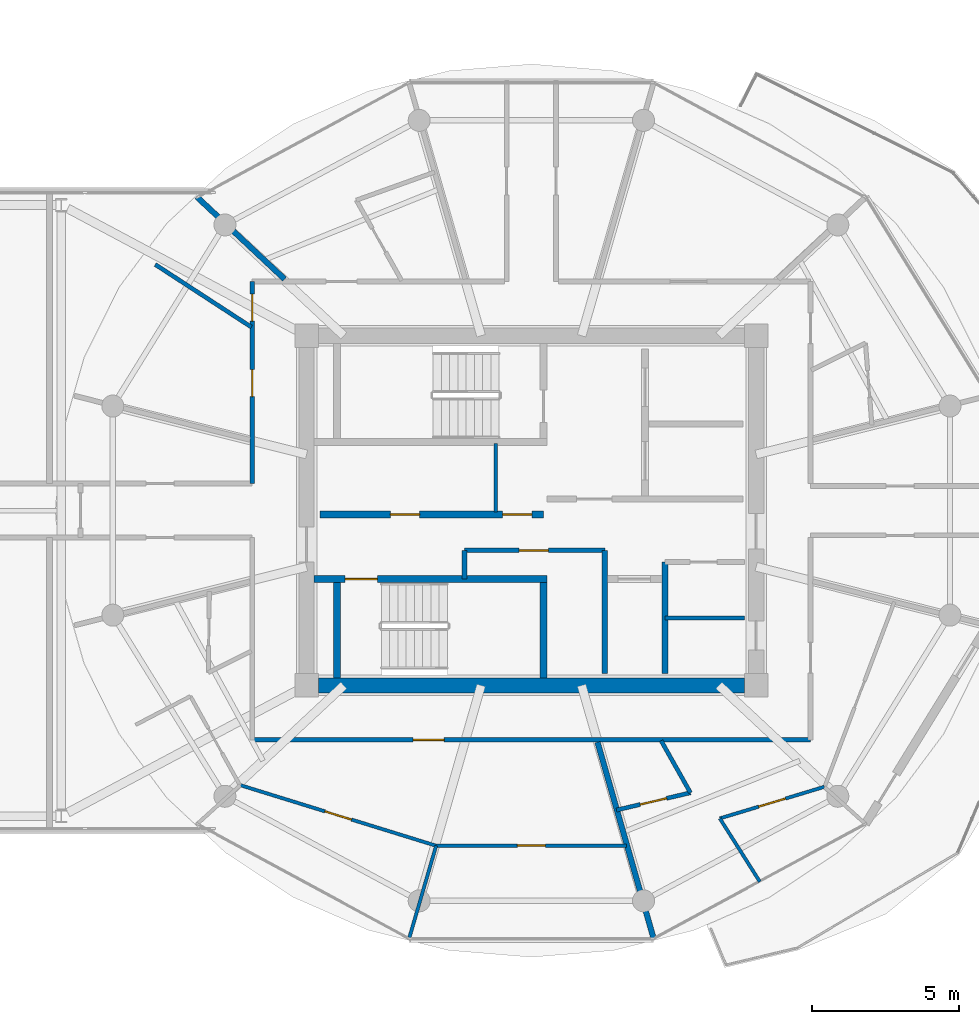
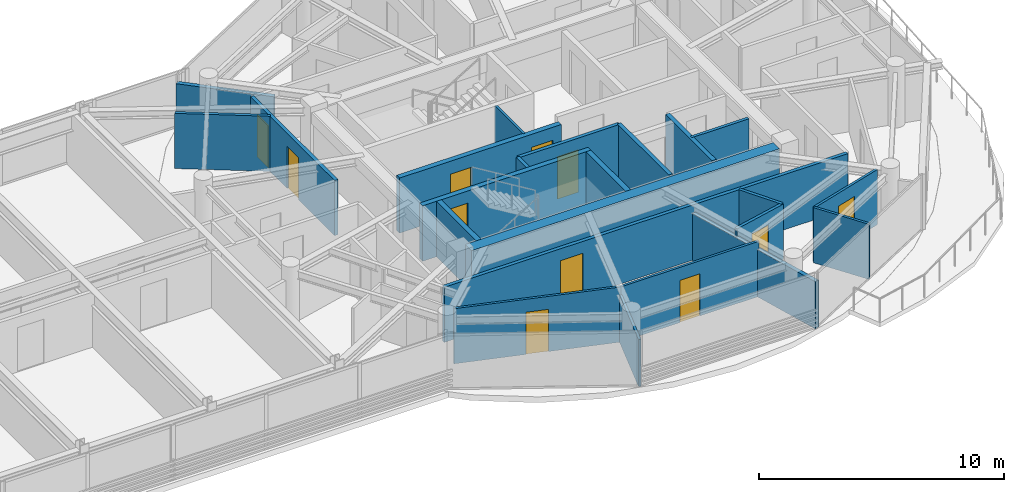
# One storey, part 18 of 23: 23 walls, 11 doors, 11 openings.
"""IFC4 building model written with IfcOpenShell, lengths in metres."""

from ifc_helpers import new_model, si_unit, direction, frame, frame_2d, origin, place, context, subcontext, project, spatial, rectangle, extrude, source, transform, mapped, material, layer, layer_set, type_object, type_shapes, element, fill, save


model = new_model("IFC4")

# Units and contexts
model_context = context("Model", 3, precision=1e-05, world=origin(), true_north=direction((0.0, 1.0)))
body_context = subcontext(model_context, "Body", "Model", "MODEL_VIEW")
ifc_project = project(units=[si_unit("LENGTHUNIT", "METRE"), si_unit("AREAUNIT", "SQUARE_METRE"), si_unit("VOLUMEUNIT", "CUBIC_METRE"), si_unit("PLANEANGLEUNIT", "RADIAN"), si_unit("MASSUNIT", "GRAM", prefix="KILO")], contexts=[model_context])

# Site, building, storey
site_placement = place(None, origin())
site = spatial("IfcSite", under=ifc_project, at=site_placement, CompositionType="ELEMENT")
building_placement = place(site_placement, origin())
building = spatial("IfcBuilding", under=site, at=building_placement, Name="Norrkilde Senior Care Towers", CompositionType="ELEMENT")
storey_placement = place(building_placement, frame((0.0, 0.0, 207.800048828125)))
storey = spatial("IfcBuildingStorey", under=building, at=storey_placement, Name="L64", CompositionType="ELEMENT", Elevation=207.800048828125)

# Wall
ifc_material_1 = material(Name="Concrete C50/60", Category="concrete")
ifc_layer_1 = layer(ifc_material_1, 0.52001953125)
ifc_layer_set_1 = layer_set([ifc_layer_1], Name="Concrete C50/60")
wall_type_1 = type_object("IfcWallType", Name="Core Shear Wall Z4 520", PredefinedType="SHEAR", material=ifc_layer_set_1)
shared_shape_1 = source(origin(), body_context, "Body", "SweptSolid", [
    extrude(rectangle(XDim=14.5, YDim=0.52001953125, at=frame_2d((7.25, 0.0))), origin(), (0.0, 0.0, 1.0), 2.760009765625),
])
type_shapes(wall_type_1, [shared_shape_1])
wall_1_placement = place(storey_placement, frame((35.25, -5.949951171875, 0.0), z_axis=(0.0, 0.0, 1.0), x_axis=(-1.0, 0.0, 0.0)))
element("IfcWall", 1, at=wall_1_placement, inside=storey, type_object=wall_type_1, Name="L64 Core E South Shear Wall", PredefinedType="SHEAR", context=body_context, shape_type="MappedRepresentation", body=[
    mapped(shared_shape_1, transform((0.0, 0.0, 0.0), x_axis=(1.0, 0.0, 0.0), y_axis=(0.0, 1.0, 0.0), z_axis=(0.0, 0.0, 1.0), scale=1.0)),
])

# Wall, opening, door
ifc_material_2 = material(Name="Concrete C45/55", Category="concrete")
ifc_layer_2 = layer(ifc_material_2, 0.239990234375)
ifc_layer_set_2 = layer_set([ifc_layer_2], Name="Concrete C45/55")
wall_type_2 = type_object("IfcWallType", Name="Shaft and Stair Enclosure Wall 240", PredefinedType="PARTITIONING", material=ifc_layer_set_2)
shared_shape_2 = source(origin(), body_context, "Body", "SweptSolid", [
    extrude(rectangle(XDim=7.929931640625, YDim=0.239990234375, at=frame_2d((3.96484375, 0.0))), origin(), (0.0, 0.0, 1.0), 2.760009765625),
])
wall_2_placement = place(storey_placement, frame((20.610107421875, -2.330078125, 0.0), z_axis=(0.0, 0.0, 1.0), x_axis=(1.0, 0.0, 0.0)))
wall_2 = element("IfcWall", 2, at=wall_2_placement, inside=storey, type_object=wall_type_2, Name="WL-INT-L64-E-ST2N", PredefinedType="PARTITIONING", context=body_context, shape_type="MappedRepresentation", body=[
    mapped(shared_shape_2, transform((0.0, 0.0, 0.0), x_axis=(1.0, 0.0, 0.0), y_axis=(0.0, 1.0, 0.0), z_axis=(0.0, 0.0, 1.0), scale=1.0)),
])
opening_1_placement = place(wall_2_placement, frame((1.050048828125, 0.0, 0.0)))
opening_1 = element("IfcOpeningElement", 3, at=opening_1_placement, cuts=wall_2, Name="Opening D-03", PredefinedType="OPENING", context=body_context, shape_type="SweptSolid", body=[
    extrude(rectangle(XDim=1.10009765625, YDim=2.14990234375, at=frame_2d((0.550048828125, 1.074951171875))), frame((0.0, 0.1298828125, 0.0), z_axis=(0.0, -1.0, 0.0), x_axis=(1.0, 0.0, 0.0)), (0.0, 0.0, 1.0), 0.260009765625),
])
ifc_material_3 = material(Name="Galvanised Painted Steel", Category="steel")
door_type_1 = type_object("IfcDoorType", Name="Stairwell Protected Fire Door 1100x2150", OperationType="NOTDEFINED", PredefinedType="DOOR", material=ifc_material_3)
shared_shape_3 = source(origin(), body_context, "Body", "SweptSolid", [
    extrude(rectangle(XDim=1.10009765625, YDim=2.14990234375, at=frame_2d((0.550048828125, 1.074951171875))), frame((0.0, 0.02490234375, 0.0), z_axis=(0.0, -1.0, 0.0), x_axis=(1.0, 0.0, 0.0)), (0.0, 0.0, 1.0), 0.050048828125),
])
type_shapes(door_type_1, [shared_shape_3])
door_1_placement = place(opening_1_placement, frame((1.10009765625, 0.0, 0.0), z_axis=(0.0, 0.0, 1.0), x_axis=(-1.0, 0.0, 0.0)))
door_1 = element("IfcDoor", 4, at=door_1_placement, inside=storey, type_object=door_type_1, Name="L64 Stair E2 Fire Door", OperationType="SINGLE_SWING_RIGHT", OverallHeight=2.14990234375, OverallWidth=1.10009765625, PredefinedType="DOOR", context=body_context, shape_type="MappedRepresentation", body=[
    mapped(shared_shape_3, transform((0.0, 0.0, 0.0), x_axis=(1.0, 0.0, 0.0), y_axis=(0.0, 1.0, 0.0), z_axis=(0.0, 0.0, 1.0), scale=1.0)),
])
fill(opening_1, door_1)

# Walls
shared_shape_4 = source(origin(), body_context, "Body", "SweptSolid", [
    extrude(rectangle(XDim=3.239990234375, YDim=0.239990234375, at=frame_2d((1.6201171875, 0.0))), origin(), (0.0, 0.0, 1.0), 2.760009765625),
])
type_shapes(wall_type_2, [shared_shape_2, shared_shape_4])
for number, where, z_axis, x_axis, name in (
    (5, (21.3798828125, -5.68994140625, 0.0), (0.0, 0.0, 1.0), (0.0, 1.0, 0.0), "WL-INT-L64-E-ST2W"),
    (6, (28.419921875, -5.68994140625, 0.0), (0.0, 0.0, 1.0), (0.0, 1.0, 0.0), "WL-INT-L64-E-ST2E"),
):
    element("IfcWall", number, at=place(storey_placement, frame(where, z_axis=z_axis, x_axis=x_axis)), inside=storey, type_object=wall_type_2, Name=name, PredefinedType="PARTITIONING", context=body_context, shape_type="MappedRepresentation", body=[
        mapped(shared_shape_4, transform((0.0, 0.0, 0.0), x_axis=(1.0, 0.0, 0.0), y_axis=(0.0, 1.0, 0.0), z_axis=(0.0, 0.0, 1.0), scale=1.0)),
    ])
ifc_material_4 = material(Name="Gypsum Acoustic Board")
ifc_layer_3 = layer(ifc_material_4, 0.18994140625)
ifc_layer_set_3 = layer_set([ifc_layer_3], Name="Gypsum Acoustic Board")
wall_type_3 = type_object("IfcWallType", Name="Unit Demising Acoustic Wall 190", PredefinedType="PARTITIONING", material=ifc_layer_set_3)
shared_shape_5 = source(origin(), body_context, "Body", "SweptSolid", [
    extrude(rectangle(XDim=4.089111328125, YDim=0.18994140625, at=frame_2d((2.04443359375, 0.0))), origin(), (0.0, 0.0, 1.0), 2.344970703125),
])
wall_3_placement = place(storey_placement, frame((19.59814453125, 7.8798828125, 0.0), z_axis=(0.0, 0.0, 1.0), x_axis=(-0.729401273609, 0.684086092577, 0.0)))
element("IfcWall", 7, at=wall_3_placement, inside=storey, type_object=wall_type_3, Name="WL-INT-L64-E-DEM-04-0", PredefinedType="PARTITIONING", context=body_context, shape_type="MappedRepresentation", body=[
    mapped(shared_shape_5, transform((0.0, 0.0, 0.0), x_axis=(1.0, 0.0, 0.0), y_axis=(0.0, 1.0, 0.0), z_axis=(0.0, 0.0, 1.0), scale=1.0)),
])
shared_shape_6 = source(origin(), body_context, "Body", "SweptSolid", [
    extrude(rectangle(XDim=6.973876953125, YDim=0.18994140625, at=frame_2d((3.48681640625, 0.0))), origin(), (0.0, 0.0, 1.0), 2.344970703125),
])
type_shapes(wall_type_3, [shared_shape_5, shared_shape_6])
wall_4_placement = place(storey_placement, frame((30.251220703125, -7.8798828125, 0.0), z_axis=(0.0, 0.0, 1.0), x_axis=(0.274707256801, -0.961527910703, 0.0)))
element("IfcWall", 8, at=wall_4_placement, inside=storey, type_object=wall_type_3, Name="WL-INT-L64-E-DEM-09-0", PredefinedType="PARTITIONING", context=body_context, shape_type="MappedRepresentation", body=[
    mapped(shared_shape_6, transform((0.0, 0.0, 0.0), x_axis=(1.0, 0.0, 0.0), y_axis=(0.0, 1.0, 0.0), z_axis=(0.0, 0.0, 1.0), scale=1.0)),
])

# Wall, openings, doors
ifc_layer_4 = layer(ifc_material_2, 0.239990234375)
ifc_layer_set_4 = layer_set([ifc_layer_4], Name="Concrete C45/55")
wall_type_4 = type_object("IfcWallType", Name="Lift and Plant Rated Enclosure Partition 240", PredefinedType="PARTITIONING", material=ifc_layer_set_4)
shared_shape_7 = source(origin(), body_context, "Body", "SweptSolid", [
    extrude(rectangle(XDim=7.619873046875, YDim=0.239990234375, at=frame_2d((3.81005859375, 0.0))), origin(), (0.0, 0.0, 1.0), 2.744873046875),
])
type_shapes(wall_type_4, [shared_shape_7])
wall_5_placement = place(storey_placement, frame((20.800048828125, -0.1298828125, 0.0), z_axis=(0.0, 0.0, 1.0), x_axis=(1.0, 0.0, 0.0)))
wall_5 = element("IfcWall", 9, at=wall_5_placement, inside=storey, type_object=wall_type_4, Name="WL-INT-L64-E-PKAS", PredefinedType="PARTITIONING", context=body_context, shape_type="MappedRepresentation", body=[
    mapped(shared_shape_7, transform((0.0, 0.0, 0.0), x_axis=(1.0, 0.0, 0.0), y_axis=(0.0, 1.0, 0.0), z_axis=(0.0, 0.0, 1.0), scale=1.0)),
])
opening_2_placement = place(wall_5_placement, frame((6.219970703125, 0.0, 0.0)))
opening_2 = element("IfcOpeningElement", 10, at=opening_2_placement, cuts=wall_5, Name="Opening D-10", PredefinedType="OPENING", context=body_context, shape_type="SweptSolid", body=[
    extrude(rectangle(XDim=1.0, YDim=2.10009765625, at=frame_2d((0.5, 1.050048828125))), frame((0.0, 0.1298828125, 0.0), z_axis=(0.0, -1.0, 0.0), x_axis=(1.0, 0.0, 0.0)), (0.0, 0.0, 1.0), 0.260009765625),
])
opening_3_placement = place(wall_5_placement, frame((2.39990234375, 0.0, 0.0)))
opening_3 = element("IfcOpeningElement", 11, at=opening_3_placement, cuts=wall_5, Name="Opening D-10", PredefinedType="OPENING", context=body_context, shape_type="SweptSolid", body=[
    extrude(rectangle(XDim=1.0, YDim=2.10009765625, at=frame_2d((0.5, 1.050048828125))), frame((0.0, 0.1298828125, 0.0), z_axis=(0.0, -1.0, 0.0), x_axis=(1.0, 0.0, 0.0)), (0.0, 0.0, 1.0), 0.260009765625),
])
door_type_2 = type_object("IfcDoorType", Name="Plant and Riser Rated Door 1000x2100", OperationType="NOTDEFINED", PredefinedType="DOOR", material=ifc_material_3)
shared_shape_8 = source(origin(), body_context, "Body", "SweptSolid", [
    extrude(rectangle(XDim=1.0, YDim=2.10009765625, at=frame_2d((0.5, 1.050048828125))), frame((0.0, 0.02490234375, 0.0), z_axis=(0.0, -1.0, 0.0), x_axis=(1.0, 0.0, 0.0)), (0.0, 0.0, 1.0), 0.050048828125),
])
type_shapes(door_type_2, [shared_shape_8])
door_2_placement = place(opening_2_placement, frame((1.0, 0.0, 0.0), z_axis=(0.0, 0.0, 1.0), x_axis=(-1.0, 0.0, 0.0)))
door_2 = element("IfcDoor", 12, at=door_2_placement, inside=storey, type_object=door_type_2, Name="L64 Electrical Riser E Door", OperationType="SINGLE_SWING_LEFT", OverallHeight=2.10009765625, OverallWidth=1.0, PredefinedType="DOOR", context=body_context, shape_type="MappedRepresentation", body=[
    mapped(shared_shape_8, transform((0.0, 0.0, 0.0), x_axis=(1.0, 0.0, 0.0), y_axis=(0.0, 1.0, 0.0), z_axis=(0.0, 0.0, 1.0), scale=1.0)),
])
fill(opening_2, door_2)
door_3_placement = place(opening_3_placement, frame((1.0, 0.0, 0.0), z_axis=(0.0, 0.0, 1.0), x_axis=(-1.0, 0.0, 0.0)))
door_3 = element("IfcDoor", 13, at=door_3_placement, inside=storey, type_object=door_type_2, Name="L64 Clean Supply Store E Door", OperationType="SINGLE_SWING_LEFT", OverallHeight=2.10009765625, OverallWidth=1.0, PredefinedType="DOOR", context=body_context, shape_type="MappedRepresentation", body=[
    mapped(shared_shape_8, transform((0.0, 0.0, 0.0), x_axis=(1.0, 0.0, 0.0), y_axis=(0.0, 1.0, 0.0), z_axis=(0.0, 0.0, 1.0), scale=1.0)),
])
fill(opening_3, door_3)

# Walls
ifc_layer_5 = layer(ifc_material_4, 0.114990234375)
ifc_layer_set_5 = layer_set([ifc_layer_5], Name="Gypsum Acoustic Board")
wall_type_5 = type_object("IfcWallType", Name="Internal Room Partition 115", PredefinedType="PARTITIONING", material=ifc_layer_set_5)
shared_shape_9 = source(origin(), body_context, "Body", "SweptSolid", [
    extrude(rectangle(XDim=2.330078125, YDim=0.114990234375, at=frame_2d((1.1650390625, 0.0))), origin(), (0.0, 0.0, 1.0), 2.744873046875),
])
wall_6_placement = place(storey_placement, frame((26.7900390625, -0.050048828125, 0.0), z_axis=(0.0, 0.0, 1.0), x_axis=(0.0, 1.0, 0.0)))
element("IfcWall", 14, at=wall_6_placement, inside=storey, type_object=wall_type_5, Name="WL-INT-L64-E-RISW", PredefinedType="PARTITIONING", context=body_context, shape_type="MappedRepresentation", body=[
    mapped(shared_shape_9, transform((0.0, 0.0, 0.0), x_axis=(1.0, 0.0, 0.0), y_axis=(0.0, 1.0, 0.0), z_axis=(0.0, 0.0, 1.0), scale=1.0)),
])
ifc_layer_6 = layer(ifc_material_2, 0.199951171875)
ifc_layer_set_6 = layer_set([ifc_layer_6], Name="Concrete C45/55")
wall_type_6 = type_object("IfcWallType", Name="Shaft Division and Plant Partition 200", PredefinedType="PARTITIONING", material=ifc_layer_set_6)
shared_shape_10 = source(origin(), body_context, "Body", "SweptSolid", [
    extrude(rectangle(XDim=3.800048828125, YDim=0.199951171875, at=frame_2d((1.89990234375, 0.0))), origin(), (0.0, 0.0, 1.0), 2.744873046875),
])
type_shapes(wall_type_6, [shared_shape_10])
wall_7_placement = place(storey_placement, frame((32.550048828125, -5.550048828125, 0.0), z_axis=(0.0, 0.0, 1.0), x_axis=(0.0, 1.0, 0.0)))
element("IfcWall", 15, at=wall_7_placement, inside=storey, type_object=wall_type_6, Name="WL-INT-L64-E-PKBE", PredefinedType="PARTITIONING", context=body_context, shape_type="MappedRepresentation", body=[
    mapped(shared_shape_10, transform((0.0, 0.0, 0.0), x_axis=(1.0, 0.0, 0.0), y_axis=(0.0, 1.0, 0.0), z_axis=(0.0, 0.0, 1.0), scale=1.0)),
])
ifc_layer_7 = layer(ifc_material_2, 0.179931640625)
ifc_layer_set_7 = layer_set([ifc_layer_7], Name="Concrete C45/55")
wall_type_7 = type_object("IfcWallType", Name="Hoistway Division Rated Partition 180", PredefinedType="PARTITIONING", material=ifc_layer_set_7)
shared_shape_11 = source(origin(), body_context, "Body", "SweptSolid", [
    extrude(rectangle(XDim=4.199951171875, YDim=0.179931640625, at=frame_2d((2.10009765625, 0.0))), origin(), (0.0, 0.0, 1.0), 2.744873046875),
])
type_shapes(wall_type_7, [shared_shape_11])
wall_8_placement = place(storey_placement, frame((30.5, -5.550048828125, 0.0), z_axis=(0.0, 0.0, 1.0), x_axis=(0.0, 1.0, 0.0)))
element("IfcWall", 16, at=wall_8_placement, inside=storey, type_object=wall_type_7, Name="WL-INT-L64-E-PL4W", PredefinedType="PARTITIONING", context=body_context, shape_type="MappedRepresentation", body=[
    mapped(shared_shape_11, transform((0.0, 0.0, 0.0), x_axis=(1.0, 0.0, 0.0), y_axis=(0.0, 1.0, 0.0), z_axis=(0.0, 0.0, 1.0), scale=1.0)),
])

# Wall, opening, door
ifc_layer_8 = layer(ifc_material_4, 0.1650390625)
ifc_layer_set_8 = layer_set([ifc_layer_8], Name="Gypsum Acoustic Board")
wall_type_8 = type_object("IfcWallType", Name="Corridor Rated Partition 165", PredefinedType="PARTITIONING", material=ifc_layer_set_8)
shared_shape_12 = source(origin(), body_context, "Body", "SweptSolid", [
    extrude(rectangle(XDim=4.77001953125, YDim=0.1650390625, at=frame_2d((2.385009765625, 0.0))), origin(), (0.0, 0.0, 1.0), 2.744873046875),
])
wall_9_placement = place(storey_placement, frame((25.72998046875, -1.35009765625, 0.0), z_axis=(0.0, 0.0, 1.0), x_axis=(1.0, 0.0, 0.0)))
wall_9 = element("IfcWall", 17, at=wall_9_placement, inside=storey, type_object=wall_type_8, Name="WL-INT-L64-E-FR2N", PredefinedType="PARTITIONING", context=body_context, shape_type="MappedRepresentation", body=[
    mapped(shared_shape_12, transform((0.0, 0.0, 0.0), x_axis=(1.0, 0.0, 0.0), y_axis=(0.0, 1.0, 0.0), z_axis=(0.0, 0.0, 1.0), scale=1.0)),
])
opening_4_placement = place(wall_9_placement, frame((1.85009765625, 0.0, 0.0)))
opening_4 = element("IfcOpeningElement", 18, at=opening_4_placement, cuts=wall_9, Name="Opening D-10", PredefinedType="OPENING", context=body_context, shape_type="SweptSolid", body=[
    extrude(rectangle(XDim=1.0, YDim=2.10009765625, at=frame_2d((0.5, 1.050048828125))), frame((0.0, 0.092529296875, 0.0), z_axis=(0.0, -1.0, 0.0), x_axis=(1.0, 0.0, 0.0)), (0.0, 0.0, 1.0), 0.18505859375),
])
door_4_placement = place(opening_4_placement, origin())
door_4 = element("IfcDoor", 19, at=door_4_placement, inside=storey, type_object=door_type_2, Name="L64 Core Pantry E Door", OperationType="SINGLE_SWING_RIGHT", OverallHeight=2.10009765625, OverallWidth=1.0, PredefinedType="DOOR", context=body_context, shape_type="MappedRepresentation", body=[
    mapped(shared_shape_8, transform((0.0, 0.0, 0.0), x_axis=(1.0, 0.0, 0.0), y_axis=(0.0, 1.0, 0.0), z_axis=(0.0, 0.0, 1.0), scale=1.0)),
])
fill(opening_4, door_4)

# Walls
shared_shape_13 = source(origin(), body_context, "Body", "SweptSolid", [
    extrude(rectangle(XDim=0.97998046875, YDim=0.1650390625, at=frame_2d((0.489990234375, 0.0))), origin(), (0.0, 0.0, 1.0), 2.744873046875),
])
wall_10_placement = place(storey_placement, frame((25.72998046875, -2.330078125, 0.0), z_axis=(0.0, 0.0, 1.0), x_axis=(0.0, 1.0, 0.0)))
element("IfcWall", 20, at=wall_10_placement, inside=storey, type_object=wall_type_8, Name="WL-INT-L64-E-FR2W", PredefinedType="PARTITIONING", context=body_context, shape_type="MappedRepresentation", body=[
    mapped(shared_shape_13, transform((0.0, 0.0, 0.0), x_axis=(1.0, 0.0, 0.0), y_axis=(0.0, 1.0, 0.0), z_axis=(0.0, 0.0, 1.0), scale=1.0)),
])
ifc_layer_9 = layer(ifc_material_4, 0.139892578125)
ifc_layer_set_9 = layer_set([ifc_layer_9], Name="Gypsum Acoustic Board")
wall_type_9 = type_object("IfcWallType", Name="En-suite Wet Room Wall 140", PredefinedType="PARTITIONING", material=ifc_layer_set_9)
shared_shape_14 = source(origin(), body_context, "Body", "SweptSolid", [
    extrude(rectangle(XDim=2.699951171875, YDim=0.139892578125, at=frame_2d((1.35009765625, 0.0))), origin(), (0.0, 0.0, 1.0), 2.744873046875),
])
wall_11_placement = place(storey_placement, frame((32.550048828125, -3.64990234375, 0.0), z_axis=(0.0, 0.0, 1.0), x_axis=(1.0, 0.0, 0.0)))
element("IfcWall", 21, at=wall_11_placement, inside=storey, type_object=wall_type_9, Name="WL-INT-L64-E-CS2H", PredefinedType="PARTITIONING", context=body_context, shape_type="MappedRepresentation", body=[
    mapped(shared_shape_14, transform((0.0, 0.0, 0.0), x_axis=(1.0, 0.0, 0.0), y_axis=(0.0, 1.0, 0.0), z_axis=(0.0, 0.0, 1.0), scale=1.0)),
])

# Wall, opening, door
shared_shape_15 = source(origin(), body_context, "Body", "SweptSolid", [
    extrude(rectangle(XDim=19.0, YDim=0.1650390625, at=frame_2d((9.5, 0.0))), origin(), (0.0, 0.0, 1.0), 2.744873046875),
])
wall_12_placement = place(storey_placement, frame((37.5, -7.800048828125, 0.0), z_axis=(0.0, 0.0, 1.0), x_axis=(-1.0, 0.0, 0.0)))
wall_12 = element("IfcWall", 22, at=wall_12_placement, inside=storey, type_object=wall_type_8, Name="WL-INT-L64-E-CRW-S-0", PredefinedType="PARTITIONING", context=body_context, shape_type="MappedRepresentation", body=[
    mapped(shared_shape_15, transform((0.0, 0.0, 0.0), x_axis=(1.0, 0.0, 0.0), y_axis=(0.0, 1.0, 0.0), z_axis=(0.0, 0.0, 1.0), scale=1.0)),
])
opening_5_placement = place(wall_12_placement, frame((12.47314453125, 0.0, 0.0)))
opening_5 = element("IfcOpeningElement", 23, at=opening_5_placement, cuts=wall_12, Name="Opening D-06", PredefinedType="OPENING", context=body_context, shape_type="SweptSolid", body=[
    extrude(rectangle(XDim=1.050048828125, YDim=2.14990234375, at=frame_2d((0.52490234375, 1.074951171875))), frame((0.0, 0.092529296875, 0.0), z_axis=(0.0, -1.0, 0.0), x_axis=(1.0, 0.0, 0.0)), (0.0, 0.0, 1.0), 0.18505859375),
])
ifc_material_5 = material(Name="Nordic Ash Timber", Category="wood")
door_type_3 = type_object("IfcDoorType", Name="Apartment Entrance Fire Door 1050x2150", OperationType="NOTDEFINED", PredefinedType="DOOR", material=ifc_material_5)
shared_shape_16 = source(origin(), body_context, "Body", "SweptSolid", [
    extrude(rectangle(XDim=1.050048828125, YDim=2.14990234375, at=frame_2d((0.52490234375, 1.074951171875))), frame((0.0, 0.02490234375, 0.0), z_axis=(0.0, -1.0, 0.0), x_axis=(1.0, 0.0, 0.0)), (0.0, 0.0, 1.0), 0.050048828125),
])
type_shapes(door_type_3, [shared_shape_16])
door_5_placement = place(opening_5_placement, frame((1.050048828125, 0.0, 0.0), z_axis=(0.0, 0.0, 1.0), x_axis=(-1.0, 0.0, 0.0)))
door_5 = element("IfcDoor", 24, at=door_5_placement, inside=storey, type_object=door_type_3, Name="Apartment 64E Entrance Door", OperationType="SINGLE_SWING_LEFT", OverallHeight=2.14990234375, OverallWidth=1.050048828125, PredefinedType="DOOR", context=body_context, shape_type="MappedRepresentation", body=[
    mapped(shared_shape_16, transform((0.0, 0.0, 0.0), x_axis=(1.0, 0.0, 0.0), y_axis=(0.0, 1.0, 0.0), z_axis=(0.0, 0.0, 1.0), scale=1.0)),
])
fill(opening_5, door_5)

# Wall, openings, doors
shared_shape_17 = source(origin(), body_context, "Body", "SweptSolid", [
    extrude(rectangle(XDim=6.880126953125, YDim=0.1650390625, at=frame_2d((3.43994140625, 0.0))), origin(), (0.0, 0.0, 1.0), 2.744873046875),
])
type_shapes(wall_type_8, [shared_shape_12, shared_shape_13, shared_shape_15, shared_shape_17])
wall_13_placement = place(storey_placement, frame((18.5, 0.919921875, 0.0), z_axis=(0.0, 0.0, 1.0), x_axis=(0.0, 1.0, 0.0)))
wall_13 = element("IfcWall", 25, at=wall_13_placement, inside=storey, type_object=wall_type_8, Name="WL-INT-L64-E-CRW-W-1", PredefinedType="PARTITIONING", context=body_context, shape_type="MappedRepresentation", body=[
    mapped(shared_shape_17, transform((0.0, 0.0, 0.0), x_axis=(1.0, 0.0, 0.0), y_axis=(0.0, 1.0, 0.0), z_axis=(0.0, 0.0, 1.0), scale=1.0)),
])
opening_6_placement = place(wall_13_placement, frame((5.525146484375, 0.0, 0.0)))
opening_6 = element("IfcOpeningElement", 26, at=opening_6_placement, cuts=wall_13, Name="Opening D-08", PredefinedType="OPENING", context=body_context, shape_type="SweptSolid", body=[
    extrude(rectangle(XDim=0.919921875, YDim=2.10009765625, at=frame_2d((0.4599609375, 1.050048828125))), frame((0.0, 0.092529296875, 0.0), z_axis=(0.0, -1.0, 0.0), x_axis=(1.0, 0.0, 0.0)), (0.0, 0.0, 1.0), 0.18505859375),
])
opening_7_placement = place(wall_13_placement, frame((2.96240234375, 0.0, 0.0)))
opening_7 = element("IfcOpeningElement", 27, at=opening_7_placement, cuts=wall_13, Name="Opening D-08", PredefinedType="OPENING", context=body_context, shape_type="SweptSolid", body=[
    extrude(rectangle(XDim=0.919921875, YDim=2.10009765625, at=frame_2d((0.4599609375, 1.050048828125))), frame((0.0, 0.092529296875, 0.0), z_axis=(0.0, -1.0, 0.0), x_axis=(1.0, 0.0, 0.0)), (0.0, 0.0, 1.0), 0.18505859375),
])
door_type_4 = type_object("IfcDoorType", Name="Accessible Wet Room Door 920x2100", OperationType="NOTDEFINED", PredefinedType="DOOR", material=ifc_material_5)
shared_shape_18 = source(origin(), body_context, "Body", "SweptSolid", [
    extrude(rectangle(XDim=0.919921875, YDim=2.10009765625, at=frame_2d((0.4599609375, 1.050048828125))), frame((0.0, 0.02490234375, 0.0), z_axis=(0.0, -1.0, 0.0), x_axis=(1.0, 0.0, 0.0)), (0.0, 0.0, 1.0), 0.050048828125),
])
type_shapes(door_type_4, [shared_shape_18])
door_6_placement = place(opening_6_placement, frame((0.919921875, 0.0, 0.0), z_axis=(0.0, 0.0, 1.0), x_axis=(-1.0, 0.0, 0.0)))
door_6 = element("IfcDoor", 28, at=door_6_placement, inside=storey, type_object=door_type_4, Name="L64 Accessible Restroom Door", OperationType="SINGLE_SWING_LEFT", OverallHeight=2.10009765625, OverallWidth=0.919921875, PredefinedType="DOOR", context=body_context, shape_type="MappedRepresentation", body=[
    mapped(shared_shape_18, transform((0.0, 0.0, 0.0), x_axis=(1.0, 0.0, 0.0), y_axis=(0.0, 1.0, 0.0), z_axis=(0.0, 0.0, 1.0), scale=1.0)),
])
fill(opening_6, door_6)
door_7_placement = place(opening_7_placement, frame((0.919921875, 0.0, 0.0), z_axis=(0.0, 0.0, 1.0), x_axis=(-1.0, 0.0, 0.0)))
door_7 = element("IfcDoor", 29, at=door_7_placement, inside=storey, type_object=door_type_4, Name="L64 Public Restroom Door", OperationType="SINGLE_SWING_RIGHT", OverallHeight=2.10009765625, OverallWidth=0.919921875, PredefinedType="DOOR", context=body_context, shape_type="MappedRepresentation", body=[
    mapped(shared_shape_18, transform((0.0, 0.0, 0.0), x_axis=(1.0, 0.0, 0.0), y_axis=(0.0, 1.0, 0.0), z_axis=(0.0, 0.0, 1.0), scale=1.0)),
])
fill(opening_7, door_7)

# Wall
shared_shape_19 = source(origin(), body_context, "Body", "SweptSolid", [
    extrude(rectangle(XDim=3.903564453125, YDim=0.139892578125, at=frame_2d((1.95166015625, 0.0))), origin(), (0.0, 0.0, 1.0), 2.744873046875),
])
wall_14_placement = place(storey_placement, frame((18.469970703125, 6.245849609375, 0.0), z_axis=(0.0, 0.0, 1.0), x_axis=(-0.838024687996, 0.545632314209, 0.0)))
element("IfcWall", 30, at=wall_14_placement, inside=storey, type_object=wall_type_9, Name="WL-INT-L64-E-MID-04", PredefinedType="PARTITIONING", context=body_context, shape_type="MappedRepresentation", body=[
    mapped(shared_shape_19, transform((0.0, 0.0, 0.0), x_axis=(1.0, 0.0, 0.0), y_axis=(0.0, 1.0, 0.0), z_axis=(0.0, 0.0, 1.0), scale=1.0)),
])

# Wall, opening, door
shared_shape_20 = source(origin(), body_context, "Body", "SweptSolid", [
    extrude(rectangle(XDim=6.979736328125, YDim=0.114990234375, at=frame_2d((3.48974609375, 0.0))), origin(), (0.0, 0.0, 1.0), 2.744873046875),
])
wall_15_placement = place(storey_placement, frame((18.0908203125, -9.34423828125, 0.0), z_axis=(0.0, 0.0, 1.0), x_axis=(0.955342331637, -0.295501318749, 0.0)))
wall_15 = element("IfcWall", 31, at=wall_15_placement, inside=storey, type_object=wall_type_5, Name="WL-INT-L64-E-UBC-06-1", PredefinedType="PARTITIONING", context=body_context, shape_type="MappedRepresentation", body=[
    mapped(shared_shape_20, transform((0.0, 0.0, 0.0), x_axis=(1.0, 0.0, 0.0), y_axis=(0.0, 1.0, 0.0), z_axis=(0.0, 0.0, 1.0), scale=1.0)),
])
opening_8_placement = place(wall_15_placement, frame((3.014892578125, 0.0, 0.0)))
opening_8 = element("IfcOpeningElement", 32, at=opening_8_placement, cuts=wall_15, Name="Opening D-07", PredefinedType="OPENING", context=body_context, shape_type="SweptSolid", body=[
    extrude(rectangle(XDim=0.949951171875, YDim=2.10009765625, at=frame_2d((0.47509765625, 1.050048828125))), frame((0.0, 0.0673828125, 0.0), z_axis=(0.0, -1.0, 0.0), x_axis=(1.0, 0.0, 0.0)), (0.0, 0.0, 1.0), 0.135009765625),
])
door_type_5 = type_object("IfcDoorType", Name="Internal Suite Bedroom Door 950x2100", OperationType="NOTDEFINED", PredefinedType="DOOR", material=ifc_material_5)
shared_shape_21 = source(origin(), body_context, "Body", "SweptSolid", [
    extrude(rectangle(XDim=0.949951171875, YDim=2.10009765625, at=frame_2d((0.47509765625, 1.050048828125))), frame((0.0, 0.02490234375, 0.0), z_axis=(0.0, -1.0, 0.0), x_axis=(1.0, 0.0, 0.0)), (0.0, 0.0, 1.0), 0.050048828125),
])
type_shapes(door_type_5, [shared_shape_21])
door_8_placement = place(opening_8_placement, origin())
door_8 = element("IfcDoor", 33, at=door_8_placement, inside=storey, type_object=door_type_5, Name="Apartment 64E Bedroom 1 Door", OperationType="SINGLE_SWING_RIGHT", OverallHeight=2.10009765625, OverallWidth=0.949951171875, PredefinedType="DOOR", context=body_context, shape_type="MappedRepresentation", body=[
    mapped(shared_shape_21, transform((0.0, 0.0, 0.0), x_axis=(1.0, 0.0, 0.0), y_axis=(0.0, 1.0, 0.0), z_axis=(0.0, 0.0, 1.0), scale=1.0)),
])
fill(opening_8, door_8)

shared_shape_22 = source(origin(), body_context, "Body", "SweptSolid", [
    extrude(rectangle(XDim=6.48095703125, YDim=0.114990234375, at=frame_2d((3.240478515625, 0.0))), origin(), (0.0, 0.0, 1.0), 2.744873046875),
])
wall_16_placement = place(storey_placement, frame((24.759521484375, -11.404052734375, 0.0), z_axis=(0.0, 0.0, 1.0), x_axis=(1.0, 0.0, 0.0)))
wall_16 = element("IfcWall", 34, at=wall_16_placement, inside=storey, type_object=wall_type_5, Name="WL-INT-L64-E-UBC-06-2", PredefinedType="PARTITIONING", context=body_context, shape_type="MappedRepresentation", body=[
    mapped(shared_shape_22, transform((0.0, 0.0, 0.0), x_axis=(1.0, 0.0, 0.0), y_axis=(0.0, 1.0, 0.0), z_axis=(0.0, 0.0, 1.0), scale=1.0)),
])
opening_9_placement = place(wall_16_placement, frame((2.765380859375, 0.0, 0.0)))
opening_9 = element("IfcOpeningElement", 35, at=opening_9_placement, cuts=wall_16, Name="Opening D-07", PredefinedType="OPENING", context=body_context, shape_type="SweptSolid", body=[
    extrude(rectangle(XDim=0.949951171875, YDim=2.10009765625, at=frame_2d((0.47509765625, 1.050048828125))), frame((0.0, 0.0673828125, 0.0), z_axis=(0.0, -1.0, 0.0), x_axis=(1.0, 0.0, 0.0)), (0.0, 0.0, 1.0), 0.135009765625),
])
door_9_placement = place(opening_9_placement, frame((0.949951171875, 0.0, 0.0), z_axis=(0.0, 0.0, 1.0), x_axis=(-1.0, 0.0, 0.0)))
door_9 = element("IfcDoor", 36, at=door_9_placement, inside=storey, type_object=door_type_5, Name="Apartment 64E Bedroom 2 Door", OperationType="SINGLE_SWING_LEFT", OverallHeight=2.10009765625, OverallWidth=0.949951171875, PredefinedType="DOOR", context=body_context, shape_type="MappedRepresentation", body=[
    mapped(shared_shape_21, transform((0.0, 0.0, 0.0), x_axis=(1.0, 0.0, 0.0), y_axis=(0.0, 1.0, 0.0), z_axis=(0.0, 0.0, 1.0), scale=1.0)),
])
fill(opening_9, door_9)

# Walls
shared_shape_23 = source(origin(), body_context, "Body", "SweptSolid", [
    extrude(rectangle(XDim=3.3134765625, YDim=0.114990234375, at=frame_2d((1.65673828125, 0.0))), origin(), (0.0, 0.0, 1.0), 2.344970703125),
])
wall_17_placement = place(storey_placement, frame((24.759521484375, -11.404052734375, 0.0), z_axis=(0.0, 0.0, 1.0), x_axis=(-0.279612365916, -0.960112975033, 0.0)))
element("IfcWall", 37, at=wall_17_placement, inside=storey, type_object=wall_type_5, Name="WL-INT-L64-E-UBR-06-2", PredefinedType="PARTITIONING", context=body_context, shape_type="MappedRepresentation", body=[
    mapped(shared_shape_23, transform((0.0, 0.0, 0.0), x_axis=(1.0, 0.0, 0.0), y_axis=(0.0, 1.0, 0.0), z_axis=(0.0, 0.0, 1.0), scale=1.0)),
])
shared_shape_24 = source(origin(), body_context, "Body", "SweptSolid", [
    extrude(rectangle(XDim=2.035400390625, YDim=0.139892578125, at=frame_2d((1.017578125, 0.0))), origin(), (0.0, 0.0, 1.0), 2.744873046875),
])
wall_18_placement = place(storey_placement, frame((32.4150390625, -7.830078125, 0.0), z_axis=(0.0, 0.0, 1.0), x_axis=(0.491092509169, -0.871107425888, 0.0)))
element("IfcWall", 38, at=wall_18_placement, inside=storey, type_object=wall_type_9, Name="WL-INT-L64-E-UBTS-09", PredefinedType="PARTITIONING", context=body_context, shape_type="MappedRepresentation", body=[
    mapped(shared_shape_24, transform((0.0, 0.0, 0.0), x_axis=(1.0, 0.0, 0.0), y_axis=(0.0, 1.0, 0.0), z_axis=(0.0, 0.0, 1.0), scale=1.0)),
])

# Wall, opening, door
shared_shape_25 = source(origin(), body_context, "Body", "SweptSolid", [
    extrude(rectangle(XDim=2.58642578125, YDim=0.139892578125, at=frame_2d((1.293212890625, 0.0))), origin(), (0.0, 0.0, 1.0), 2.744873046875),
])
type_shapes(wall_type_9, [shared_shape_14, shared_shape_19, shared_shape_24, shared_shape_25])
wall_19_placement = place(storey_placement, frame((33.41455078125, -9.60302734375, 0.0), z_axis=(0.0, 0.0, 1.0), x_axis=(-0.973691298219, -0.227871138526, 0.0)))
wall_19 = element("IfcWall", 39, at=wall_19_placement, inside=storey, type_object=wall_type_9, Name="WL-INT-L64-E-UBTF-09", PredefinedType="PARTITIONING", context=body_context, shape_type="MappedRepresentation", body=[
    mapped(shared_shape_25, transform((0.0, 0.0, 0.0), x_axis=(1.0, 0.0, 0.0), y_axis=(0.0, 1.0, 0.0), z_axis=(0.0, 0.0, 1.0), scale=1.0)),
])
opening_10_placement = place(wall_19_placement, frame((0.833251953125, 0.0, 0.0)))
opening_10 = element("IfcOpeningElement", 40, at=opening_10_placement, cuts=wall_19, Name="Opening D-08", PredefinedType="OPENING", context=body_context, shape_type="SweptSolid", body=[
    extrude(rectangle(XDim=0.919921875, YDim=2.10009765625, at=frame_2d((0.4599609375, 1.050048828125))), frame((0.0, 0.079833984375, 0.0), z_axis=(0.0, -1.0, 0.0), x_axis=(1.0, 0.0, 0.0)), (0.0, 0.0, 1.0), 0.159912109375),
])
door_10_placement = place(opening_10_placement, origin())
door_10 = element("IfcDoor", 41, at=door_10_placement, inside=storey, type_object=door_type_4, Name="Apartment 64F Bathroom Door", OperationType="SINGLE_SWING_LEFT", OverallHeight=2.10009765625, OverallWidth=0.919921875, PredefinedType="DOOR", context=body_context, shape_type="MappedRepresentation", body=[
    mapped(shared_shape_18, transform((0.0, 0.0, 0.0), x_axis=(1.0, 0.0, 0.0), y_axis=(0.0, 1.0, 0.0), z_axis=(0.0, 0.0, 1.0), scale=1.0)),
])
fill(opening_10, door_10)

# Wall
shared_shape_26 = source(origin(), body_context, "Body", "SweptSolid", [
    extrude(rectangle(XDim=2.548828125, YDim=0.114990234375, at=frame_2d((1.2744140625, 0.0))), origin(), (0.0, 0.0, 1.0), 2.744873046875),
])
wall_20_placement = place(storey_placement, frame((34.414306640625, -10.4765625, 0.0), z_axis=(0.0, 0.0, 1.0), x_axis=(0.534108310175, -0.845416059111, 0.0)))
element("IfcWall", 42, at=wall_20_placement, inside=storey, type_object=wall_type_5, Name="WL-INT-L64-E-UKTS-09", PredefinedType="PARTITIONING", context=body_context, shape_type="MappedRepresentation", body=[
    mapped(shared_shape_26, transform((0.0, 0.0, 0.0), x_axis=(1.0, 0.0, 0.0), y_axis=(0.0, 1.0, 0.0), z_axis=(0.0, 0.0, 1.0), scale=1.0)),
])

# Wall, opening, door
shared_shape_27 = source(origin(), body_context, "Body", "SweptSolid", [
    extrude(rectangle(XDim=3.71435546875, YDim=0.114990234375, at=frame_2d((1.857177734375, 0.0))), origin(), (0.0, 0.0, 1.0), 2.744873046875),
])
type_shapes(wall_type_5, [shared_shape_9, shared_shape_20, shared_shape_22, shared_shape_23, shared_shape_26, shared_shape_27])
wall_21_placement = place(storey_placement, frame((34.414306640625, -10.4765625, 0.0), z_axis=(0.0, 0.0, 1.0), x_axis=(0.957188983281, 0.28946372879, 0.0)))
wall_21 = element("IfcWall", 43, at=wall_21_placement, inside=storey, type_object=wall_type_5, Name="WL-INT-L64-E-UKTF-09", PredefinedType="PARTITIONING", context=body_context, shape_type="MappedRepresentation", body=[
    mapped(shared_shape_27, transform((0.0, 0.0, 0.0), x_axis=(1.0, 0.0, 0.0), y_axis=(0.0, 1.0, 0.0), z_axis=(0.0, 0.0, 1.0), scale=1.0)),
])
opening_11_placement = place(wall_21_placement, frame((1.38232421875, 0.0, 0.0)))
opening_11 = element("IfcOpeningElement", 44, at=opening_11_placement, cuts=wall_21, Name="Opening D-07", PredefinedType="OPENING", context=body_context, shape_type="SweptSolid", body=[
    extrude(rectangle(XDim=0.949951171875, YDim=2.10009765625, at=frame_2d((0.47509765625, 1.050048828125))), frame((0.0, 0.0673828125, 0.0), z_axis=(0.0, -1.0, 0.0), x_axis=(1.0, 0.0, 0.0)), (0.0, 0.0, 1.0), 0.135009765625),
])
door_11_placement = place(opening_11_placement, frame((0.949951171875, 0.0, 0.0), z_axis=(0.0, 0.0, 1.0), x_axis=(-1.0, 0.0, 0.0)))
door_11 = element("IfcDoor", 45, at=door_11_placement, inside=storey, type_object=door_type_5, Name="Apartment 64F Kitchen Door", OperationType="SINGLE_SWING_RIGHT", OverallHeight=2.10009765625, OverallWidth=0.949951171875, PredefinedType="DOOR", context=body_context, shape_type="MappedRepresentation", body=[
    mapped(shared_shape_21, transform((0.0, 0.0, 0.0), x_axis=(1.0, 0.0, 0.0), y_axis=(0.0, 1.0, 0.0), z_axis=(0.0, 0.0, 1.0), scale=1.0)),
])
fill(opening_11, door_11)

save(model, "model.ifc")
